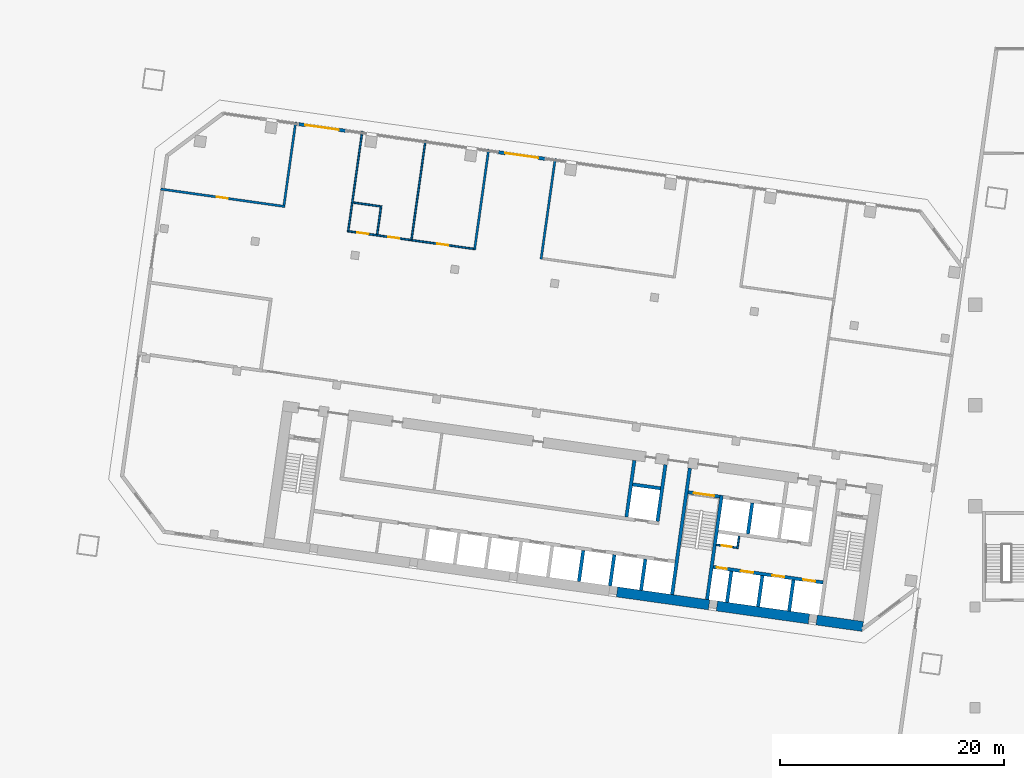
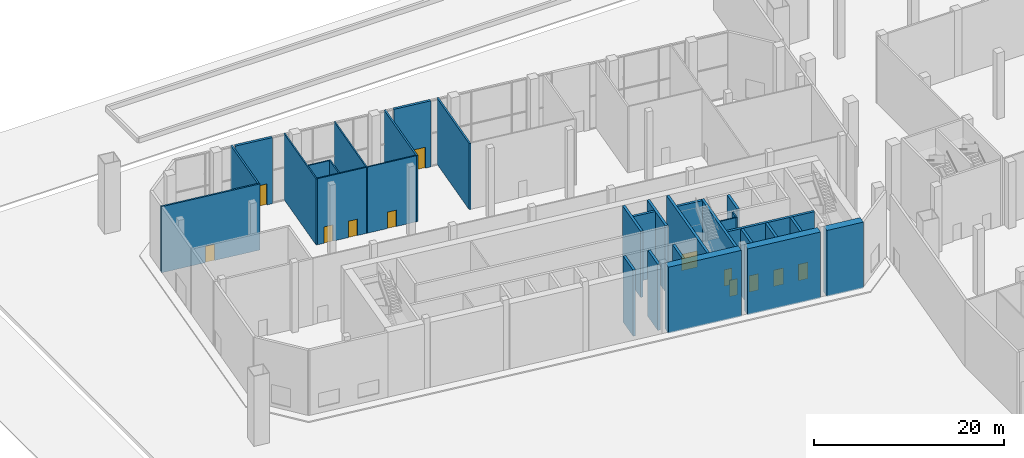
# One storey, part 19 of 34: 31 walls, 12 doors, 12 openings.
"""IFC4 building model written with IfcOpenShell, lengths in metres."""

from ifc_helpers import new_model, si_unit, direction, frame, frame_2d, origin, place, context, subcontext, project, spatial, rectangle, extrude, material, layer, layer_set, type_object, element, fill, save


model = new_model("IFC4")

# Units and contexts
model_context = context("Model", 3, precision=1e-05, world=origin(), true_north=direction((0.0, 1.0)))
body_context = subcontext(model_context, "Body", "Model", "MODEL_VIEW")
ifc_project = project(units=[si_unit("LENGTHUNIT", "METRE"), si_unit("AREAUNIT", "SQUARE_METRE"), si_unit("VOLUMEUNIT", "CUBIC_METRE"), si_unit("PLANEANGLEUNIT", "RADIAN"), si_unit("MASSUNIT", "GRAM", prefix="KILO")], contexts=[model_context])

# Site, building, storey
site_placement = place(None, origin())
site = spatial("IfcSite", under=ifc_project, at=site_placement, CompositionType="ELEMENT")
building_placement = place(site_placement, origin())
building = spatial("IfcBuilding", under=site, at=building_placement, Name="Mirante Cascada Hotel Towers", CompositionType="ELEMENT")
storey_placement = place(building_placement, origin())
storey = spatial("IfcBuildingStorey", under=building, at=storey_placement, Name="L00", CompositionType="ELEMENT", Elevation=0.0)

# Wall
ifc_material_1 = material(Name="Masonry block", Category="masonry")
ifc_layer_1 = layer(ifc_material_1, 0.15)
ifc_layer_set_1 = layer_set([ifc_layer_1], Name="Core room partition 150 block EI 30")
wall_type_1 = type_object("IfcWallType", Name="Core room partition 150 block EI 30", PredefinedType="PARTITIONING", material=ifc_layer_set_1)
wall_1_placement = place(storey_placement, frame((-48.2295, -12.793, 0.0), z_axis=(0.0, 0.0, 1.0), x_axis=(0.1391935, 0.9902652, 0.0)))
element("IfcWall", 1, at=wall_1_placement, inside=storey, type_object=wall_type_1, Name="Core wall partition T1 L00 2", PredefinedType="PARTITIONING", context=body_context, shape_type="SweptSolid", body=[
    extrude(rectangle(XDim=1.1251, YDim=0.15, at=frame_2d((0.5626, 0.0))), origin(), (0.0, 0.0, 1.0), 8.5),
])

# Wall, opening, door
wall_2_placement = place(storey_placement, frame((-48.2933, -12.7083, 0.0), z_axis=(0.0, 0.0, 1.0), x_axis=(-0.990268, 0.1391734, 0.0)))
wall_2 = element("IfcWall", 2, at=wall_2_placement, inside=storey, type_object=wall_type_1, Name="Core wall partition T1 L00 3", PredefinedType="PARTITIONING", context=body_context, shape_type="SweptSolid", body=[
    extrude(rectangle(XDim=1.8251, YDim=0.15, at=frame_2d((0.9126, 0.0))), origin(), (0.0, 0.0, 1.0), 8.5),
])
opening_1_placement = place(wall_2_placement, frame((0.4625, 0.0, 0.0)))
opening_1 = element("IfcOpeningElement", 3, at=opening_1_placement, cuts=wall_2, Name="Opening D1-00-C26", PredefinedType="OPENING", context=body_context, shape_type="SweptSolid", body=[
    extrude(rectangle(XDim=0.9, YDim=2.1, at=frame_2d((0.45, 1.05))), frame((0.0, 0.075, 0.0), z_axis=(0.0, -1.0, 0.0), x_axis=(1.0, 0.0, 0.0)), (0.0, 0.0, 1.0), 0.15),
])
ifc_material_2 = material(Name="Hollow metal fire door leaf")
door_type_1 = type_object("IfcDoorType", Name="Fire door 900x2100 FD60", OperationType="NOTDEFINED", PredefinedType="DOOR", material=ifc_material_2)
door_1_placement = place(opening_1_placement, origin())
door_1 = element("IfcDoor", 4, at=door_1_placement, inside=storey, type_object=door_type_1, Name="Riser door T1 L00 26", OperationType="SINGLE_SWING_RIGHT", OverallHeight=2.1, OverallWidth=0.9, PredefinedType="DOOR", context=body_context, shape_type="SweptSolid", body=[
    extrude(rectangle(XDim=0.9, YDim=2.1, at=frame_2d((0.45, 1.05))), frame((0.0, 0.025, 0.0), z_axis=(0.0, -1.0, 0.0), x_axis=(1.0, 0.0, 0.0)), (0.0, 0.0, 1.0), 0.05),
])
fill(opening_1, door_1)

ifc_material_3 = material(Name="Masonry block", Category="masonry")
ifc_layer_2 = layer(ifc_material_3, 0.15)
ifc_layer_set_2 = layer_set([ifc_layer_2], Name="Corridor wall 150 block")
wall_type_2 = type_object("IfcWallType", Name="Corridor wall 150 block", PredefinedType="PARTITIONING", material=ifc_layer_set_2)
wall_3_placement = place(storey_placement, frame((-77.2651, 14.741, 0.0), z_axis=(0.0, 0.0, 1.0), x_axis=(0.9902658, -0.1391891, 0.0)))
wall_3 = element("IfcWall", 5, at=wall_3_placement, inside=storey, type_object=wall_type_2, Name="Corridor wall T1 L00", PredefinedType="PARTITIONING", context=body_context, shape_type="SweptSolid", body=[
    extrude(rectangle(XDim=5.545, YDim=0.15, at=frame_2d((2.7725, 0.0))), origin(), (0.0, 0.0, 1.0), 8.5),
])
opening_2_placement = place(wall_3_placement, frame((2.2725, 0.0, 0.0)))
opening_2 = element("IfcOpeningElement", 6, at=opening_2_placement, cuts=wall_3, Name="Opening DP1-L00-09", PredefinedType="OPENING", context=body_context, shape_type="SweptSolid", body=[
    extrude(rectangle(XDim=1.0, YDim=2.1, at=frame_2d((0.5, 1.05))), frame((0.0, 0.075, 0.0), z_axis=(0.0, -1.0, 0.0), x_axis=(1.0, 0.0, 0.0)), (0.0, 0.0, 1.0), 0.15),
])
ifc_material_4 = material(Name="Timber door leaf", Category="wood")
door_type_2 = type_object("IfcDoorType", Name="Single door 1000x2100", OperationType="NOTDEFINED", PredefinedType="DOOR", material=ifc_material_4)
door_2_placement = place(opening_2_placement, origin())
door_2 = element("IfcDoor", 7, at=door_2_placement, inside=storey, type_object=door_type_2, Name="Door DP1-L00-09", OperationType="SINGLE_SWING_LEFT", OverallHeight=2.1, OverallWidth=1.0, PredefinedType="DOOR", context=body_context, shape_type="SweptSolid", body=[
    extrude(rectangle(XDim=1.0, YDim=2.1, at=frame_2d((0.5, 1.05))), frame((0.0, 0.025, 0.0), z_axis=(0.0, -1.0, 0.0), x_axis=(1.0, 0.0, 0.0)), (0.0, 0.0, 1.0), 0.05),
])
fill(opening_2, door_2)

ifc_material_5 = material(Name="Masonry block", Category="masonry")
ifc_layer_3 = layer(ifc_material_5, 0.2)
ifc_layer_set_3 = layer_set([ifc_layer_3], Name="Hall wall 200 block")
wall_type_3 = type_object("IfcWallType", Name="Hall wall 200 block", PredefinedType="PARTITIONING", material=ifc_layer_set_3)
wall_4_placement = place(storey_placement, frame((-99.7127, 19.3095, 0.0), z_axis=(0.0, 0.0, 1.0), x_axis=(0.9902685, -0.1391697, 0.0)))
wall_4 = element("IfcWall", 8, at=wall_4_placement, inside=storey, type_object=wall_type_3, Name="Hall wall T1 L00", PredefinedType="PARTITIONING", context=body_context, shape_type="SweptSolid", body=[
    extrude(rectangle(XDim=11.2, YDim=0.2, at=frame_2d((5.6, 0.0))), origin(), (0.0, 0.0, 1.0), 8.5),
])
opening_3_placement = place(wall_4_placement, frame((5.05, 0.0, 0.0)))
opening_3 = element("IfcOpeningElement", 9, at=opening_3_placement, cuts=wall_4, Name="Opening DP1-L00-06", PredefinedType="OPENING", context=body_context, shape_type="SweptSolid", body=[
    extrude(rectangle(XDim=1.0, YDim=2.1, at=frame_2d((0.5, 1.05))), frame((0.0, 0.1, 0.0), z_axis=(0.0, -1.0, 0.0), x_axis=(1.0, 0.0, 0.0)), (0.0, 0.0, 1.0), 0.2),
])
door_3_placement = place(opening_3_placement, origin())
door_3 = element("IfcDoor", 10, at=door_3_placement, inside=storey, type_object=door_type_2, Name="Door DP1-L00-06", OperationType="SINGLE_SWING_RIGHT", OverallHeight=2.1, OverallWidth=1.0, PredefinedType="DOOR", context=body_context, shape_type="SweptSolid", body=[
    extrude(rectangle(XDim=1.0, YDim=2.1, at=frame_2d((0.5, 1.05))), frame((0.0, 0.025, 0.0), z_axis=(0.0, -1.0, 0.0), x_axis=(1.0, 0.0, 0.0)), (0.0, 0.0, 1.0), 0.05),
])
fill(opening_3, door_3)

# Walls
for number, where, z_axis, x_axis, name in (
    (11, (-65.7538, 13.0474, 0.0), (0.0, 0.0, 1.0), (0.1391733, 0.990268, 0.0), "Hall wall T1 L00"),
    (12, (-71.6954, 13.8824, 0.0), (0.0, 0.0, 1.0), (0.1391733, 0.990268, 0.0), "Hall wall T1 L00"),
):
    element("IfcWall", number, at=place(storey_placement, frame(where, z_axis=z_axis, x_axis=x_axis)), inside=storey, type_object=wall_type_3, Name=name, PredefinedType="PARTITIONING", context=body_context, shape_type="SweptSolid", body=[
        extrude(rectangle(XDim=9.075, YDim=0.2, at=frame_2d((4.5375, 0.0))), origin(), (0.0, 0.0, 1.0), 8.5),
    ])
wall_5_placement = place(storey_placement, frame((-88.7068, 17.8637, 0.0), z_axis=(0.0, 0.0, 1.0), x_axis=(0.1391735, 0.990268, 0.0)))
element("IfcWall", 13, at=wall_5_placement, inside=storey, type_object=wall_type_3, Name="Hall wall T1 L00", PredefinedType="PARTITIONING", context=body_context, shape_type="SweptSolid", body=[
    extrude(rectangle(XDim=7.5, YDim=0.2, at=frame_2d((3.75, 0.0))), origin(), (0.0, 0.0, 1.0), 8.5),
])

# Wall, opening, door
ifc_material_6 = material(Name="Precast concrete C40/50", Category="concrete")
ifc_layer_4 = layer(ifc_material_6, 0.3)
ifc_layer_set_4 = layer_set([ifc_layer_4], Name="Precast concrete C40/50 cladding wall 300")
wall_type_4 = type_object("IfcWallType", Name="Precast concrete C40/50 cladding wall 300", PredefinedType="STANDARD", material=ifc_layer_set_4)
wall_6_placement = place(storey_placement, frame((-87.3868, 25.1004, 0.0), z_axis=(0.0, 0.0, 1.0), x_axis=(0.9902688, -0.1391676, 0.0)))
wall_6 = element("IfcWall", 14, at=wall_6_placement, inside=storey, type_object=wall_type_4, Name="Entrance pier wall L00 T1:L00:front:2", PredefinedType="STANDARD", context=body_context, shape_type="SweptSolid", body=[
    extrude(rectangle(XDim=4.2, YDim=0.3, at=frame_2d((2.1, 0.0))), origin(), (0.0, 0.0, 1.0), 8.5),
])
opening_4_placement = place(wall_6_placement, frame((0.6, 0.0, 0.0)))
opening_4 = element("IfcOpeningElement", 15, at=opening_4_placement, cuts=wall_6, Name="Opening DP-00-91", PredefinedType="OPENING", context=body_context, shape_type="SweptSolid", body=[
    extrude(rectangle(XDim=3.0, YDim=2.7, at=frame_2d((1.5, 1.35))), frame((0.0, 0.15, 0.0), z_axis=(0.0, -1.0, 0.0), x_axis=(1.0, 0.0, 0.0)), (0.0, 0.0, 1.0), 0.3),
])
ifc_material_7 = material(Name="Aluminium frame with clear laminated glazing", Category="aluminium")
door_type_3 = type_object("IfcDoorType", Name="Exit double door 3000x2700", OperationType="DOUBLE_DOOR_SINGLE_SWING", PredefinedType="DOOR", material=ifc_material_7)
door_4_placement = place(opening_4_placement, origin())
door_4 = element("IfcDoor", 16, at=door_4_placement, inside=storey, type_object=door_type_3, Name="Exit door DP-00-91", OperationType="DOUBLE_DOOR_SINGLE_SWING", OverallHeight=2.7, OverallWidth=3.0, PredefinedType="DOOR", context=body_context, shape_type="SweptSolid", body=[
    extrude(rectangle(XDim=1.495, YDim=2.7, at=frame_2d((0.7475, 1.35))), frame((0.0, 0.025, 0.0), z_axis=(0.0, -1.0, 0.0), x_axis=(1.0, 0.0, 0.0)), (0.0, 0.0, 1.0), 0.05),
    extrude(rectangle(XDim=1.495, YDim=2.7, at=frame_2d((2.2525, 1.35))), frame((0.0, 0.025, 0.0), z_axis=(0.0, -1.0, 0.0), x_axis=(1.0, 0.0, 0.0)), (0.0, 0.0, 1.0), 0.05),
])
fill(opening_4, door_4)

wall_7_placement = place(storey_placement, frame((-69.562, 22.5953, 0.0), z_axis=(0.0, 0.0, 1.0), x_axis=(0.9902688, -0.1391676, 0.0)))
wall_7 = element("IfcWall", 17, at=wall_7_placement, inside=storey, type_object=wall_type_4, Name="Entrance pier wall L00 T1:L00:front:4", PredefinedType="STANDARD", context=body_context, shape_type="SweptSolid", body=[
    extrude(rectangle(XDim=4.2, YDim=0.3, at=frame_2d((2.1, 0.0))), origin(), (0.0, 0.0, 1.0), 8.5),
])
opening_5_placement = place(wall_7_placement, frame((0.6, 0.0, 0.0)))
opening_5 = element("IfcOpeningElement", 18, at=opening_5_placement, cuts=wall_7, Name="Opening DP-00-92", PredefinedType="OPENING", context=body_context, shape_type="SweptSolid", body=[
    extrude(rectangle(XDim=3.0, YDim=2.7, at=frame_2d((1.5, 1.35))), frame((0.0, 0.15, 0.0), z_axis=(0.0, -1.0, 0.0), x_axis=(1.0, 0.0, 0.0)), (0.0, 0.0, 1.0), 0.3),
])
door_5_placement = place(opening_5_placement, origin())
door_5 = element("IfcDoor", 19, at=door_5_placement, inside=storey, type_object=door_type_3, Name="Exit door DP-00-92", OperationType="DOUBLE_DOOR_SINGLE_SWING", OverallHeight=2.7, OverallWidth=3.0, PredefinedType="DOOR", context=body_context, shape_type="SweptSolid", body=[
    extrude(rectangle(XDim=1.495, YDim=2.7, at=frame_2d((0.7475, 1.35))), frame((0.0, 0.025, 0.0), z_axis=(0.0, -1.0, 0.0), x_axis=(1.0, 0.0, 0.0)), (0.0, 0.0, 1.0), 0.05),
    extrude(rectangle(XDim=1.495, YDim=2.7, at=frame_2d((2.2525, 1.35))), frame((0.0, 0.025, 0.0), z_axis=(0.0, -1.0, 0.0), x_axis=(1.0, 0.0, 0.0)), (0.0, 0.0, 1.0), 0.05),
])
fill(opening_5, door_5)

# Walls
ifc_material_8 = material(Name="Concrete C50/60", Category="concrete")
ifc_layer_5 = layer(ifc_material_8, 0.3)
ifc_layer_set_5 = layer_set([ifc_layer_5], Name="RC core wall 300 C50/60")
wall_type_5 = type_object("IfcWallType", Name="RC core wall 300 C50/60", PredefinedType="SHEAR", material=ifc_layer_set_5)
wall_8_placement = place(storey_placement, frame((-50.938, -17.3352, 0.0), z_axis=(0.0, 0.0, 1.0), x_axis=(0.1391706, 0.9902684, 0.0)))
element("IfcWall", 20, at=wall_8_placement, inside=storey, type_object=wall_type_5, Name="Core wall T1:L00:6", PredefinedType="SHEAR", context=body_context, shape_type="SweptSolid", body=[
    extrude(rectangle(XDim=9.4, YDim=0.3, at=frame_2d((4.7, 0.0))), origin(), (0.0, 0.0, 1.0), 8.5),
])
wall_9_placement = place(storey_placement, frame((-54.0574, -16.8968, 0.0), z_axis=(0.0, 0.0, 1.0), x_axis=(0.1391761, 0.9902677, 0.0)))
element("IfcWall", 21, at=wall_9_placement, inside=storey, type_object=wall_type_5, Name="Core wall T1:L00:7", PredefinedType="SHEAR", context=body_context, shape_type="SweptSolid", body=[
    extrude(rectangle(XDim=11.3999, YDim=0.3, at=frame_2d((5.7, 0.0))), origin(), (0.0, 0.0, 1.0), 8.5),
])

# Wall, opening, door
wall_10_placement = place(storey_placement, frame((-49.7992, -8.1544, 0.0), z_axis=(0.0, 0.0, 1.0), x_axis=(-0.9902656, 0.1391909, 0.0)))
wall_10 = element("IfcWall", 22, at=wall_10_placement, inside=storey, type_object=wall_type_5, Name="Core wall T1:L00:10", PredefinedType="SHEAR", context=body_context, shape_type="SweptSolid", body=[
    extrude(rectangle(XDim=2.85, YDim=0.3, at=frame_2d((1.425, 0.0))), origin(), (0.0, 0.0, 1.0), 8.5),
])
opening_6_placement = place(wall_10_placement, frame((0.525, 0.0, 0.0)))
opening_6 = element("IfcOpeningElement", 23, at=opening_6_placement, cuts=wall_10, Name="Opening D1-00-C18", PredefinedType="OPENING", context=body_context, shape_type="SweptSolid", body=[
    extrude(rectangle(XDim=1.8, YDim=2.1, at=frame_2d((0.9, 1.05))), frame((0.0, 0.15, 0.0), z_axis=(0.0, -1.0, 0.0), x_axis=(1.0, 0.0, 0.0)), (0.0, 0.0, 1.0), 0.3),
])
ifc_material_9 = material(Name="Hollow metal fire door leaf")
door_type_4 = type_object("IfcDoorType", Name="Double fire door 1800x2100 FD60", OperationType="DOUBLE_DOOR_SINGLE_SWING", PredefinedType="DOOR", material=ifc_material_9)
door_6_placement = place(opening_6_placement, origin())
door_6 = element("IfcDoor", 24, at=door_6_placement, inside=storey, type_object=door_type_4, Name="Stair door T1 L00 18", OperationType="DOUBLE_DOOR_SINGLE_SWING", OverallHeight=2.1, OverallWidth=1.8, PredefinedType="DOOR", context=body_context, shape_type="SweptSolid", body=[
    extrude(rectangle(XDim=0.895, YDim=2.1, at=frame_2d((0.4475, 1.05))), frame((0.0, 0.025, 0.0), z_axis=(0.0, -1.0, 0.0), x_axis=(1.0, 0.0, 0.0)), (0.0, 0.0, 1.0), 0.05),
    extrude(rectangle(XDim=0.895, YDim=2.1, at=frame_2d((1.3525, 1.05))), frame((0.0, 0.025, 0.0), z_axis=(0.0, -1.0, 0.0), x_axis=(1.0, 0.0, 0.0)), (0.0, 0.0, 1.0), 0.05),
])
fill(opening_6, door_6)

# Wall, openings, doors
wall_11_placement = place(storey_placement, frame((-40.5753, -15.8126, 0.0), z_axis=(0.0, 0.0, 1.0), x_axis=(-0.9902682, 0.1391725, 0.0)))
wall_11 = element("IfcWall", 25, at=wall_11_placement, inside=storey, type_object=wall_type_5, Name="Core wall T1:L00:12", PredefinedType="SHEAR", context=body_context, shape_type="SweptSolid", body=[
    extrude(rectangle(XDim=9.8999, YDim=0.3, at=frame_2d((4.95, 0.0))), origin(), (0.0, 0.0, 1.0), 8.5),
])
opening_7_placement = place(wall_11_placement, frame((0.7, 0.0, 0.0)))
opening_7 = element("IfcOpeningElement", 26, at=opening_7_placement, cuts=wall_11, Name="Opening LD", PredefinedType="OPENING", context=body_context, shape_type="SweptSolid", body=[
    extrude(rectangle(XDim=1.1, YDim=2.1, at=frame_2d((0.55, 1.05))), frame((0.0, 0.15, 0.0), z_axis=(0.0, -1.0, 0.0), x_axis=(1.0, 0.0, 0.0)), (0.0, 0.0, 1.0), 0.3),
])
opening_8_placement = place(wall_11_placement, frame((3.5, 0.0, 0.0)))
opening_8 = element("IfcOpeningElement", 27, at=opening_8_placement, cuts=wall_11, Name="Opening LD", PredefinedType="OPENING", context=body_context, shape_type="SweptSolid", body=[
    extrude(rectangle(XDim=1.1, YDim=2.1, at=frame_2d((0.55, 1.05))), frame((0.0, 0.15, 0.0), z_axis=(0.0, -1.0, 0.0), x_axis=(1.0, 0.0, 0.0)), (0.0, 0.0, 1.0), 0.3),
])
opening_9_placement = place(wall_11_placement, frame((6.3, 0.0, 0.0)))
opening_9 = element("IfcOpeningElement", 28, at=opening_9_placement, cuts=wall_11, Name="Opening LD", PredefinedType="OPENING", context=body_context, shape_type="SweptSolid", body=[
    extrude(rectangle(XDim=1.1, YDim=2.1, at=frame_2d((0.55, 1.05))), frame((0.0, 0.15, 0.0), z_axis=(0.0, -1.0, 0.0), x_axis=(1.0, 0.0, 0.0)), (0.0, 0.0, 1.0), 0.3),
])
opening_10_placement = place(wall_11_placement, frame((8.7, 0.0, 0.0)))
opening_10 = element("IfcOpeningElement", 29, at=opening_10_placement, cuts=wall_11, Name="Opening D1-00-C25", PredefinedType="OPENING", context=body_context, shape_type="SweptSolid", body=[
    extrude(rectangle(XDim=0.9, YDim=2.1, at=frame_2d((0.45, 1.05))), frame((0.0, 0.15, 0.0), z_axis=(0.0, -1.0, 0.0), x_axis=(1.0, 0.0, 0.0)), (0.0, 0.0, 1.0), 0.3),
])
door_7_placement = place(opening_10_placement, origin())
door_7 = element("IfcDoor", 30, at=door_7_placement, inside=storey, type_object=door_type_1, Name="Riser door T1 L00 25", OperationType="SINGLE_SWING_LEFT", OverallHeight=2.1, OverallWidth=0.9, PredefinedType="DOOR", context=body_context, shape_type="SweptSolid", body=[
    extrude(rectangle(XDim=0.9, YDim=2.1, at=frame_2d((0.45, 1.05))), frame((0.0, 0.025, 0.0), z_axis=(0.0, -1.0, 0.0), x_axis=(1.0, 0.0, 0.0)), (0.0, 0.0, 1.0), 0.05),
])
fill(opening_10, door_7)
ifc_material_10 = material(Name="Stainless steel", Category="steel")
door_type_5 = type_object("IfcDoorType", Name="Lift landing door 1100x2100 EI 120", OperationType="DOUBLE_DOOR_SLIDING", PredefinedType="DOOR", material=ifc_material_10)
door_8_placement = place(opening_7_placement, origin())
door_8 = element("IfcDoor", 31, at=door_8_placement, inside=storey, type_object=door_type_5, Name="Lift landing door HR1-1 L00", OperationType="DOUBLE_DOOR_SLIDING", OverallHeight=2.1, OverallWidth=1.1, PredefinedType="DOOR", context=body_context, shape_type="SweptSolid", body=[
    extrude(rectangle(XDim=0.545, YDim=2.1, at=frame_2d((0.2725, 1.05))), frame((0.0, 0.025, 0.0), z_axis=(0.0, -1.0, 0.0), x_axis=(1.0, 0.0, 0.0)), (0.0, 0.0, 1.0), 0.05),
    extrude(rectangle(XDim=0.545, YDim=2.1, at=frame_2d((0.8275, 1.05))), frame((0.0, 0.025, 0.0), z_axis=(0.0, -1.0, 0.0), x_axis=(1.0, 0.0, 0.0)), (0.0, 0.0, 1.0), 0.05),
])
fill(opening_7, door_8)
door_9_placement = place(opening_8_placement, origin())
door_9 = element("IfcDoor", 32, at=door_9_placement, inside=storey, type_object=door_type_5, Name="Lift landing door HR1-2 L00", OperationType="DOUBLE_DOOR_SLIDING", OverallHeight=2.1, OverallWidth=1.1, PredefinedType="DOOR", context=body_context, shape_type="SweptSolid", body=[
    extrude(rectangle(XDim=0.545, YDim=2.1, at=frame_2d((0.2725, 1.05))), frame((0.0, 0.025, 0.0), z_axis=(0.0, -1.0, 0.0), x_axis=(1.0, 0.0, 0.0)), (0.0, 0.0, 1.0), 0.05),
    extrude(rectangle(XDim=0.545, YDim=2.1, at=frame_2d((0.8275, 1.05))), frame((0.0, 0.025, 0.0), z_axis=(0.0, -1.0, 0.0), x_axis=(1.0, 0.0, 0.0)), (0.0, 0.0, 1.0), 0.05),
])
fill(opening_8, door_9)
door_10_placement = place(opening_9_placement, origin())
door_10 = element("IfcDoor", 33, at=door_10_placement, inside=storey, type_object=door_type_5, Name="Lift landing door HR1-3 L00", OperationType="DOUBLE_DOOR_SLIDING", OverallHeight=2.1, OverallWidth=1.1, PredefinedType="DOOR", context=body_context, shape_type="SweptSolid", body=[
    extrude(rectangle(XDim=0.545, YDim=2.1, at=frame_2d((0.2725, 1.05))), frame((0.0, 0.025, 0.0), z_axis=(0.0, -1.0, 0.0), x_axis=(1.0, 0.0, 0.0)), (0.0, 0.0, 1.0), 0.05),
    extrude(rectangle(XDim=0.545, YDim=2.1, at=frame_2d((0.8275, 1.05))), frame((0.0, 0.025, 0.0), z_axis=(0.0, -1.0, 0.0), x_axis=(1.0, 0.0, 0.0)), (0.0, 0.0, 1.0), 0.05),
])
fill(opening_9, door_10)

# Walls
wall_12_placement = place(storey_placement, frame((-43.61, -18.3651, 0.0), z_axis=(0.0, 0.0, 1.0), x_axis=(0.1391459, 0.9902719, 0.0)))
element("IfcWall", 34, at=wall_12_placement, inside=storey, type_object=wall_type_5, Name="Core wall T1:L00:15", PredefinedType="SHEAR", context=body_context, shape_type="SweptSolid", body=[
    extrude(rectangle(XDim=2.7999, YDim=0.3, at=frame_2d((1.4, 0.0))), origin(), (0.0, 0.0, 1.0), 8.5),
])
wall_13_placement = place(storey_placement, frame((-46.3828, -17.9754, 0.0), z_axis=(0.0, 0.0, 1.0), x_axis=(0.139181, 0.990267, 0.0)))
element("IfcWall", 35, at=wall_13_placement, inside=storey, type_object=wall_type_5, Name="Core wall T1:L00:16", PredefinedType="SHEAR", context=body_context, shape_type="SweptSolid", body=[
    extrude(rectangle(XDim=2.8, YDim=0.3, at=frame_2d((1.4, 0.0))), origin(), (0.0, 0.0, 1.0), 8.5),
])
wall_14_placement = place(storey_placement, frame((-49.1555, -17.5857, 0.0), z_axis=(0.0, 0.0, 1.0), x_axis=(0.1391459, 0.9902719, 0.0)))
element("IfcWall", 36, at=wall_14_placement, inside=storey, type_object=wall_type_5, Name="Core wall T1:L00:17", PredefinedType="SHEAR", context=body_context, shape_type="SweptSolid", body=[
    extrude(rectangle(XDim=2.7999, YDim=0.3, at=frame_2d((1.4, 0.0))), origin(), (0.0, 0.0, 1.0), 8.5),
])
wall_15_placement = place(storey_placement, frame((-47.2885, -11.4862, 0.0), z_axis=(0.0, 0.0, 1.0), x_axis=(0.139181, 0.990267, 0.0)))
element("IfcWall", 37, at=wall_15_placement, inside=storey, type_object=wall_type_5, Name="Core wall T1:L00:19", PredefinedType="SHEAR", context=body_context, shape_type="SweptSolid", body=[
    extrude(rectangle(XDim=2.8, YDim=0.3, at=frame_2d((1.4, 0.0))), origin(), (0.0, 0.0, 1.0), 8.5),
])
for number, where, z_axis, x_axis, name in (
    (38, (-56.8301, -16.5072, 0.0), (0.0, 0.0, 1.0), (0.139176, 0.9902677, 0.0), "Core wall T1:L00:25"),
    (39, (-59.6029, -16.1175, 0.0), (0.0, 0.0, 1.0), (0.139176, 0.9902677, 0.0), "Core wall T1:L00:26"),
    (40, (-62.3756, -15.7278, 0.0), (0.0, 0.0, 1.0), (0.139176, 0.9902677, 0.0), "Core wall T1:L00:27"),
):
    element("IfcWall", number, at=place(storey_placement, frame(where, z_axis=z_axis, x_axis=x_axis)), inside=storey, type_object=wall_type_5, Name=name, PredefinedType="SHEAR", context=body_context, shape_type="SweptSolid", body=[
        extrude(rectangle(XDim=2.8001, YDim=0.3, at=frame_2d((1.4, 0.0))), origin(), (0.0, 0.0, 1.0), 8.5),
    ])
for number, where, z_axis, x_axis, name in (
    (41, (-55.3592, -10.352, 0.0), (0.0, 0.0, 1.0), (0.1391755, 0.9902677, 0.0), "Core wall T1:L00:35"),
    (42, (-58.1319, -9.9623, 0.0), (0.0, 0.0, 1.0), (0.1391755, 0.9902677, 0.0), "Core wall T1:L00:37"),
):
    element("IfcWall", number, at=place(storey_placement, frame(where, z_axis=z_axis, x_axis=x_axis)), inside=storey, type_object=wall_type_5, Name=name, PredefinedType="SHEAR", context=body_context, shape_type="SweptSolid", body=[
        extrude(rectangle(XDim=5.1, YDim=0.3, at=frame_2d((2.55, 0.0))), origin(), (0.0, 0.0, 1.0), 8.5),
    ])
wall_16_placement = place(storey_placement, frame((-55.0971, -7.4098, 0.0), z_axis=(0.0, 0.0, 1.0), x_axis=(-0.9902701, 0.1391586, 0.0)))
element("IfcWall", 43, at=wall_16_placement, inside=storey, type_object=wall_type_5, Name="Core wall T1:L00:38", PredefinedType="SHEAR", context=body_context, shape_type="SweptSolid", body=[
    extrude(rectangle(XDim=2.5, YDim=0.3, at=frame_2d((1.25, 0.0))), origin(), (0.0, 0.0, 1.0), 8.5),
])
ifc_material_11 = material(Name="Concrete C50/60", Category="concrete")
ifc_layer_6 = layer(ifc_material_11, 0.9)
ifc_layer_set_6 = layer_set([ifc_layer_6], Name="RC core wall 900 C50/60")
wall_type_6 = type_object("IfcWallType", Name="RC core wall 900 C50/60", PredefinedType="SHEAR", material=ifc_layer_set_6)
wall_17_placement = place(storey_placement, frame((-37.0379, -19.7432, 0.0), z_axis=(0.0, 0.0, 1.0), x_axis=(-0.990267, 0.139181, 0.0)))
element("IfcWall", 44, at=wall_17_placement, inside=storey, type_object=wall_type_6, Name="Core wall T1:L00:1.1", PredefinedType="SHEAR", context=body_context, shape_type="SweptSolid", body=[
    extrude(rectangle(XDim=4.15, YDim=0.9, at=frame_2d((2.075, 0.0))), origin(), (0.0, 0.0, 1.0), 8.5),
])
for number, where, z_axis, x_axis, name in (
    (45, (-41.8407, -19.0682, 0.0), (0.0, 0.0, 1.0), (-0.9902686, 0.1391692, 0.0), "Core wall T1:L00:1.2"),
    (46, (-50.7531, -17.8156, 0.0), (0.0, 0.0, 1.0), (-0.9902686, 0.1391692, 0.0), "Core wall T1:L00:1.3"),
):
    element("IfcWall", number, at=place(storey_placement, frame(where, z_axis=z_axis, x_axis=x_axis)), inside=storey, type_object=wall_type_6, Name=name, PredefinedType="SHEAR", context=body_context, shape_type="SweptSolid", body=[
        extrude(rectangle(XDim=8.3, YDim=0.9, at=frame_2d((4.15, 0.0))), origin(), (0.0, 0.0, 1.0), 8.5),
    ])

# Wall, openings, doors
ifc_material_12 = material(Name="Masonry block", Category="masonry")
ifc_layer_7 = layer(ifc_material_12, 0.15)
ifc_layer_set_7 = layer_set([ifc_layer_7], Name="Wet room wall 150 block")
wall_type_7 = type_object("IfcWallType", Name="Wet room wall 150 block", PredefinedType="PARTITIONING", material=ifc_layer_set_7)
wall_18_placement = place(storey_placement, frame((-82.9096, 15.5342, 0.0), z_axis=(0.0, 0.0, 1.0), x_axis=(0.9902679, -0.139174, 0.0)))
wall_18 = element("IfcWall", 47, at=wall_18_placement, inside=storey, type_object=wall_type_7, Name="Wet room wall T1 L00", PredefinedType="PARTITIONING", context=body_context, shape_type="SweptSolid", body=[
    extrude(rectangle(XDim=5.57, YDim=0.15, at=frame_2d((2.785, 0.0))), origin(), (0.0, 0.0, 1.0), 8.5),
])
opening_11_placement = place(wall_18_placement, frame((3.5525, 0.0, 0.0)))
opening_11 = element("IfcOpeningElement", 48, at=opening_11_placement, cuts=wall_18, Name="Opening DP1-L00-10", PredefinedType="OPENING", context=body_context, shape_type="SweptSolid", body=[
    extrude(rectangle(XDim=1.0, YDim=2.1, at=frame_2d((0.5, 1.05))), frame((0.0, 0.075, 0.0), z_axis=(0.0, -1.0, 0.0), x_axis=(1.0, 0.0, 0.0)), (0.0, 0.0, 1.0), 0.15),
])
opening_12_placement = place(wall_18_placement, frame((0.7675, 0.0, 0.0)))
opening_12 = element("IfcOpeningElement", 49, at=opening_12_placement, cuts=wall_18, Name="Opening DP1-L00-11", PredefinedType="OPENING", context=body_context, shape_type="SweptSolid", body=[
    extrude(rectangle(XDim=1.0, YDim=2.1, at=frame_2d((0.5, 1.05))), frame((0.0, 0.075, 0.0), z_axis=(0.0, -1.0, 0.0), x_axis=(1.0, 0.0, 0.0)), (0.0, 0.0, 1.0), 0.15),
])
door_11_placement = place(opening_11_placement, origin())
door_11 = element("IfcDoor", 50, at=door_11_placement, inside=storey, type_object=door_type_2, Name="Door DP1-L00-10", OperationType="SINGLE_SWING_RIGHT", OverallHeight=2.1, OverallWidth=1.0, PredefinedType="DOOR", context=body_context, shape_type="SweptSolid", body=[
    extrude(rectangle(XDim=1.0, YDim=2.1, at=frame_2d((0.5, 1.05))), frame((0.0, 0.025, 0.0), z_axis=(0.0, -1.0, 0.0), x_axis=(1.0, 0.0, 0.0)), (0.0, 0.0, 1.0), 0.05),
])
fill(opening_11, door_11)
door_12_placement = place(opening_12_placement, origin())
door_12 = element("IfcDoor", 51, at=door_12_placement, inside=storey, type_object=door_type_2, Name="Door DP1-L00-11", OperationType="SINGLE_SWING_LEFT", OverallHeight=2.1, OverallWidth=1.0, PredefinedType="DOOR", context=body_context, shape_type="SweptSolid", body=[
    extrude(rectangle(XDim=1.0, YDim=2.1, at=frame_2d((0.5, 1.05))), frame((0.0, 0.025, 0.0), z_axis=(0.0, -1.0, 0.0), x_axis=(1.0, 0.0, 0.0)), (0.0, 0.0, 1.0), 0.05),
])
fill(opening_12, door_12)

# Walls
wall_19_placement = place(storey_placement, frame((-82.5379, 18.1075, 0.0), z_axis=(0.0, 0.0, 1.0), x_axis=(0.9902726, -0.139141, 0.0)))
element("IfcWall", 52, at=wall_19_placement, inside=storey, type_object=wall_type_7, Name="Wet room wall T1 L00", PredefinedType="PARTITIONING", context=body_context, shape_type="SweptSolid", body=[
    extrude(rectangle(XDim=2.45, YDim=0.15, at=frame_2d((1.225, 0.0))), origin(), (0.0, 0.0, 1.0), 8.5),
])
wall_20_placement = place(storey_placement, frame((-77.3399, 14.6757, 0.0), z_axis=(0.0, 0.0, 1.0), x_axis=(0.1391733, 0.990268, 0.0)))
element("IfcWall", 53, at=wall_20_placement, inside=storey, type_object=wall_type_7, Name="Wet room wall T1 L00", PredefinedType="PARTITIONING", context=body_context, shape_type="SweptSolid", body=[
    extrude(rectangle(XDim=9.075, YDim=0.15, at=frame_2d((4.5375, 0.0))), origin(), (0.0, 0.0, 1.0), 8.5),
])
wall_21_placement = place(storey_placement, frame((-80.3889, 15.2557, 0.0), z_axis=(0.0, 0.0, 1.0), x_axis=(0.1391918, 0.9902654, 0.0)))
element("IfcWall", 54, at=wall_21_placement, inside=storey, type_object=wall_type_7, Name="Wet room wall T1 L00", PredefinedType="PARTITIONING", context=body_context, shape_type="SweptSolid", body=[
    extrude(rectangle(XDim=2.6, YDim=0.15, at=frame_2d((1.3, 0.0))), origin(), (0.0, 0.0, 1.0), 8.5),
])
wall_22_placement = place(storey_placement, frame((-82.9844, 15.469, 0.0), z_axis=(0.0, 0.0, 1.0), x_axis=(0.1391733, 0.990268, 0.0)))
element("IfcWall", 55, at=wall_22_placement, inside=storey, type_object=wall_type_7, Name="Wet room wall T1 L00", PredefinedType="PARTITIONING", context=body_context, shape_type="SweptSolid", body=[
    extrude(rectangle(XDim=9.075, YDim=0.15, at=frame_2d((4.5375, 0.0))), origin(), (0.0, 0.0, 1.0), 8.5),
])

save(model, "model.ifc")
